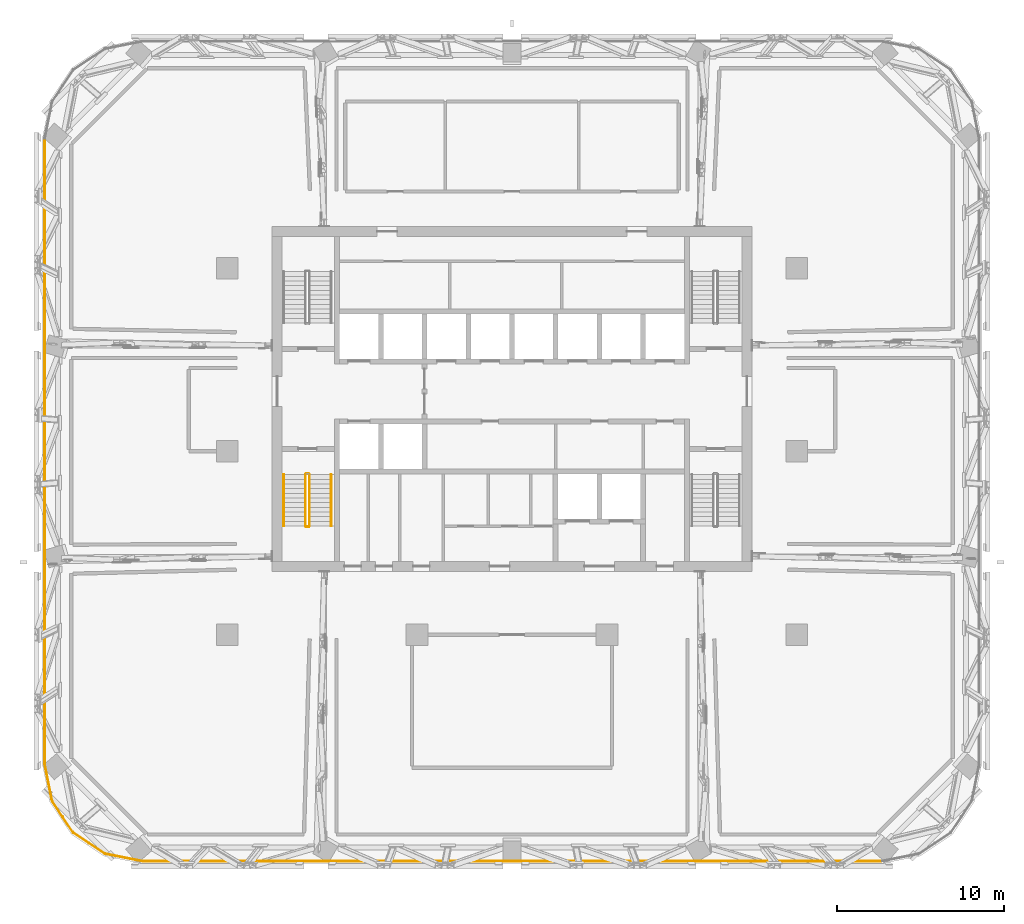
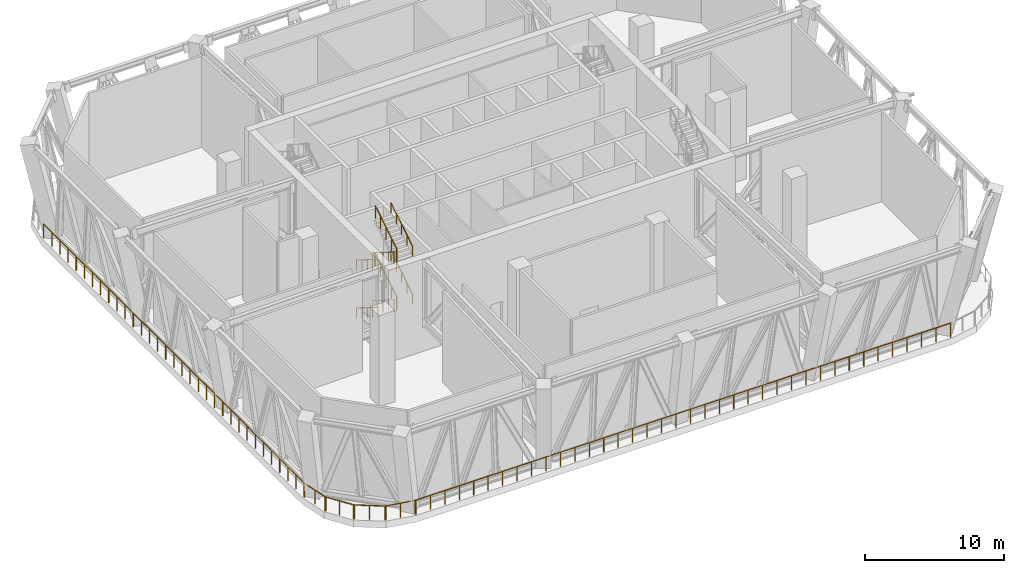
# One storey, part 18 of 24: 14 railings.
"""IFC4 building model written with IfcOpenShell, lengths in metres."""

from ifc_helpers import new_model, si_unit, direction, frame, origin, origin_2d, place, context, subcontext, project, spatial, circle, extrude, material, type_object, element, save


model = new_model("IFC4")

# Units and contexts
model_context = context("Model", 3, precision=1e-05, world=origin(), true_north=direction((0.0, 1.0)))
body_context = subcontext(model_context, "Body", "Model", "MODEL_VIEW")
ifc_project = project(units=[si_unit("LENGTHUNIT", "METRE"), si_unit("AREAUNIT", "SQUARE_METRE"), si_unit("VOLUMEUNIT", "CUBIC_METRE"), si_unit("PLANEANGLEUNIT", "RADIAN"), si_unit("MASSUNIT", "GRAM", prefix="KILO")], contexts=[model_context])

# Site, building, storey
site_placement = place(None, origin())
site = spatial("IfcSite", under=ifc_project, at=site_placement, CompositionType="ELEMENT")
building_placement = place(site_placement, origin())
building = spatial("IfcBuilding", under=site, at=building_placement, Name="Mopane Tessera Tower", CompositionType="ELEMENT")
storey_placement = place(building_placement, frame((0.0, 0.0, 259.0)))
storey = spatial("IfcBuildingStorey", under=building, at=storey_placement, Name="L56", CompositionType="ELEMENT", Elevation=259.0)

# Railings
ifc_material_1 = material(Name="Powder-coated steel balustrade", Category="steel")
railing_type_1 = type_object("IfcRailingType", Name="Escape stair guard 1100 mm", PredefinedType="GUARDRAIL", material=ifc_material_1)
railing_1_placement = place(storey_placement, frame((-12.39990234375, -1.39990234375, 0.175048828125)))
element("IfcRailing", 1, at=railing_1_placement, inside=storey, type_object=railing_type_1, Name="L56 ST1 stair guard 1", PredefinedType="GUARDRAIL", context=body_context, shape_type="SweptSolid", body=[
    extrude(circle(Radius=0.02392578125, at=origin_2d()), frame((0.0, 0.0, 1.076171875), z_axis=(0.0, -0.847998304005, 0.529998940003), x_axis=(1.0, 0.0, 0.0)), (0.0, 0.0, 1.0), 3.632080078125),
    extrude(circle(Radius=0.02392578125, at=origin_2d()), frame((0.0, -3.080078125, 3.0009765625), z_axis=(0.705375805398, -0.708833529934, 0.0), x_axis=(0.708833529934, 0.705375805398, 0.0)), (0.0, 0.0, 1.0), 0.070556640625),
    extrude(circle(Radius=0.02392578125, at=origin_2d()), frame((0.0498046875, -3.130126953125, 3.0009765625), z_axis=(1.0, 0.0, 0.0), x_axis=(0.0, 1.0, 0.0)), (0.0, 0.0, 1.0), 0.150146484375),
    extrude(circle(Radius=0.02099609375, at=origin_2d()), origin(), (0.0, 0.0, 1.0), 1.052001953125),
    extrude(circle(Radius=0.02099609375, at=origin_2d()), frame((0.0, -0.77001953125, 0.481201171875)), (0.0, 0.0, 1.0), 1.052001953125),
    extrude(circle(Radius=0.02099609375, at=origin_2d()), frame((0.0, -1.5400390625, 0.96240234375)), (0.0, 0.0, 1.0), 1.052001953125),
    extrude(circle(Radius=0.02099609375, at=origin_2d()), frame((0.0, -2.31005859375, 1.44384765625)), (0.0, 0.0, 1.0), 1.052001953125),
    extrude(circle(Radius=0.02099609375, at=origin_2d()), frame((0.0, -3.080078125, 1.925048828125)), (0.0, 0.0, 1.0), 1.052001953125),
    extrude(circle(Radius=0.02099609375, at=origin_2d()), frame((0.0498046875, -3.130126953125, 1.925048828125)), (0.0, 0.0, 1.0), 1.052001953125),
    extrude(circle(Radius=0.02099609375, at=origin_2d()), frame((0.199951171875, -3.130126953125, 1.925048828125)), (0.0, 0.0, 1.0), 1.052001953125),
])
railing_2_placement = place(storey_placement, frame((-12.14990234375, -4.47998046875, 2.27490234375)))
element("IfcRailing", 2, at=railing_2_placement, inside=storey, type_object=railing_type_1, Name="L56 ST1 stair guard 2", PredefinedType="GUARDRAIL", context=body_context, shape_type="SweptSolid", body=[
    extrude(circle(Radius=0.02392578125, at=origin_2d()), frame((0.0, 0.0, 1.076171875), z_axis=(0.0, 0.847998304005, 0.529998940003), x_axis=(-1.0, 0.0, 0.0)), (0.0, 0.0, 1.0), 3.632080078125),
    extrude(circle(Radius=0.02392578125, at=origin_2d()), frame((0.0, 3.080078125, 3.0009765625), z_axis=(-0.708833529934, 0.705375805398, 0.0), x_axis=(-0.705375805398, -0.708833529934, 0.0)), (0.0, 0.0, 1.0), 0.070556640625),
    extrude(circle(Radius=0.02392578125, at=origin_2d()), frame((-0.050048828125, 3.1298828125, 3.0009765625), z_axis=(-1.0, 0.0, 0.0), x_axis=(0.0, -1.0, 0.0)), (0.0, 0.0, 1.0), 0.150146484375),
    extrude(circle(Radius=0.02099609375, at=origin_2d()), origin(), (0.0, 0.0, 1.0), 1.052001953125),
    extrude(circle(Radius=0.02099609375, at=origin_2d()), frame((0.0, 0.77001953125, 0.481201171875)), (0.0, 0.0, 1.0), 1.052001953125),
    extrude(circle(Radius=0.02099609375, at=origin_2d()), frame((0.0, 1.5400390625, 0.96240234375)), (0.0, 0.0, 1.0), 1.052001953125),
    extrude(circle(Radius=0.02099609375, at=origin_2d()), frame((0.0, 2.31005859375, 1.44384765625)), (0.0, 0.0, 1.0), 1.052001953125),
    extrude(circle(Radius=0.02099609375, at=origin_2d()), frame((0.0, 3.080078125, 1.925048828125)), (0.0, 0.0, 1.0), 1.052001953125),
    extrude(circle(Radius=0.02099609375, at=origin_2d()), frame((-0.050048828125, 3.1298828125, 1.925048828125)), (0.0, 0.0, 1.0), 1.052001953125),
    extrude(circle(Radius=0.02099609375, at=origin_2d()), frame((-0.2001953125, 3.1298828125, 1.925048828125)), (0.0, 0.0, 1.0), 1.052001953125),
])
railing_3_placement = place(storey_placement, frame((-12.39990234375, -1.39990234375, 4.375)))
element("IfcRailing", 3, at=railing_3_placement, inside=storey, type_object=railing_type_1, Name="L56 ST1 stair guard 3", PredefinedType="GUARDRAIL", context=body_context, shape_type="SweptSolid", body=[
    extrude(circle(Radius=0.02392578125, at=origin_2d()), frame((0.0, 0.0, 1.076171875), z_axis=(0.0, -0.847998304005, 0.529998940003), x_axis=(1.0, 0.0, 0.0)), (0.0, 0.0, 1.0), 3.632080078125),
    extrude(circle(Radius=0.02392578125, at=origin_2d()), frame((0.0, -3.080078125, 3.0009765625), z_axis=(0.705375805398, -0.708833529934, 0.0), x_axis=(0.708833529934, 0.705375805398, 0.0)), (0.0, 0.0, 1.0), 0.070556640625),
    extrude(circle(Radius=0.02392578125, at=origin_2d()), frame((0.0498046875, -3.130126953125, 3.0009765625), z_axis=(1.0, 0.0, 0.0), x_axis=(0.0, 1.0, 0.0)), (0.0, 0.0, 1.0), 0.150146484375),
    extrude(circle(Radius=0.02099609375, at=origin_2d()), origin(), (0.0, 0.0, 1.0), 1.052001953125),
    extrude(circle(Radius=0.02099609375, at=origin_2d()), frame((0.0, -0.77001953125, 0.481201171875)), (0.0, 0.0, 1.0), 1.052001953125),
    extrude(circle(Radius=0.02099609375, at=origin_2d()), frame((0.0, -1.5400390625, 0.96240234375)), (0.0, 0.0, 1.0), 1.052001953125),
    extrude(circle(Radius=0.02099609375, at=origin_2d()), frame((0.0, -2.31005859375, 1.44384765625)), (0.0, 0.0, 1.0), 1.052001953125),
    extrude(circle(Radius=0.02099609375, at=origin_2d()), frame((0.0, -3.080078125, 1.925048828125)), (0.0, 0.0, 1.0), 1.052001953125),
    extrude(circle(Radius=0.02099609375, at=origin_2d()), frame((0.0498046875, -3.130126953125, 1.925048828125)), (0.0, 0.0, 1.0), 1.052001953125),
    extrude(circle(Radius=0.02099609375, at=origin_2d()), frame((0.199951171875, -3.130126953125, 1.925048828125)), (0.0, 0.0, 1.0), 1.052001953125),
])
railing_4_placement = place(storey_placement, frame((-12.14990234375, -4.47998046875, 6.47509765625)))
element("IfcRailing", 4, at=railing_4_placement, inside=storey, type_object=railing_type_1, Name="L56 ST1 stair guard 4", PredefinedType="GUARDRAIL", context=body_context, shape_type="SweptSolid", body=[
    extrude(circle(Radius=0.02392578125, at=origin_2d()), frame((0.0, 0.0, 1.076171875), z_axis=(0.0, 0.848028513186, 0.529950602248), x_axis=(-1.0, 0.0, 0.0)), (0.0, 0.0, 1.0), 3.632080078125),
    extrude(circle(Radius=0.02099609375, at=origin_2d()), origin(), (0.0, 0.0, 1.0), 1.052001953125),
    extrude(circle(Radius=0.02099609375, at=origin_2d()), frame((0.0, 0.77001953125, 0.481201171875)), (0.0, 0.0, 1.0), 1.052001953125),
    extrude(circle(Radius=0.02099609375, at=origin_2d()), frame((0.0, 1.5400390625, 0.96240234375)), (0.0, 0.0, 1.0), 1.052001953125),
    extrude(circle(Radius=0.02099609375, at=origin_2d()), frame((0.0, 2.31005859375, 1.443603515625)), (0.0, 0.0, 1.0), 1.052001953125),
    extrude(circle(Radius=0.02099609375, at=origin_2d()), frame((0.0, 3.080078125, 1.9248046875)), (0.0, 0.0, 1.0), 1.052001953125),
])
ifc_material_2 = material(Name="Powder-coated steel balustrade", Category="steel")
railing_type_2 = type_object("IfcRailingType", Name="Escape stair handrail 900 mm", PredefinedType="HANDRAIL", material=ifc_material_2)
railing_5_placement = place(storey_placement, frame((-13.699951171875, -1.39990234375, 0.175048828125)))
element("IfcRailing", 5, at=railing_5_placement, inside=storey, type_object=railing_type_2, Name="L56 ST1 stair handrail 1", PredefinedType="HANDRAIL", context=body_context, shape_type="SweptSolid", body=[
    extrude(circle(Radius=0.02392578125, at=origin_2d()), frame((0.0, 0.0, 0.8759765625), z_axis=(0.0, -0.847998304005, 0.529998940003), x_axis=(1.0, 0.0, 0.0)), (0.0, 0.0, 1.0), 3.632080078125),
    extrude(circle(Radius=0.02099609375, at=origin_2d()), origin(), (0.0, 0.0, 1.0), 0.851806640625),
    extrude(circle(Radius=0.02099609375, at=origin_2d()), frame((0.0, -0.77001953125, 0.481201171875)), (0.0, 0.0, 1.0), 0.851806640625),
    extrude(circle(Radius=0.02099609375, at=origin_2d()), frame((0.0, -1.5400390625, 0.96240234375)), (0.0, 0.0, 1.0), 0.851806640625),
    extrude(circle(Radius=0.02099609375, at=origin_2d()), frame((0.0, -2.31005859375, 1.44384765625)), (0.0, 0.0, 1.0), 0.851806640625),
    extrude(circle(Radius=0.02099609375, at=origin_2d()), frame((0.0, -3.080078125, 1.925048828125)), (0.0, 0.0, 1.0), 0.851806640625),
])
railing_6_placement = place(storey_placement, frame((-10.85009765625, -4.47998046875, 2.27490234375)))
element("IfcRailing", 6, at=railing_6_placement, inside=storey, type_object=railing_type_2, Name="L56 ST1 stair handrail 2", PredefinedType="HANDRAIL", context=body_context, shape_type="SweptSolid", body=[
    extrude(circle(Radius=0.02392578125, at=origin_2d()), frame((0.0, 0.0, 0.8759765625), z_axis=(0.0, 0.847998304005, 0.529998940003), x_axis=(-1.0, 0.0, 0.0)), (0.0, 0.0, 1.0), 3.632080078125),
    extrude(circle(Radius=0.02099609375, at=origin_2d()), origin(), (0.0, 0.0, 1.0), 0.851806640625),
    extrude(circle(Radius=0.02099609375, at=origin_2d()), frame((0.0, 0.77001953125, 0.481201171875)), (0.0, 0.0, 1.0), 0.851806640625),
    extrude(circle(Radius=0.02099609375, at=origin_2d()), frame((0.0, 1.5400390625, 0.96240234375)), (0.0, 0.0, 1.0), 0.851806640625),
    extrude(circle(Radius=0.02099609375, at=origin_2d()), frame((0.0, 2.31005859375, 1.44384765625)), (0.0, 0.0, 1.0), 0.851806640625),
    extrude(circle(Radius=0.02099609375, at=origin_2d()), frame((0.0, 3.080078125, 1.925048828125)), (0.0, 0.0, 1.0), 0.851806640625),
])
railing_7_placement = place(storey_placement, frame((-13.699951171875, -1.39990234375, 4.375)))
element("IfcRailing", 7, at=railing_7_placement, inside=storey, type_object=railing_type_2, Name="L56 ST1 stair handrail 3", PredefinedType="HANDRAIL", context=body_context, shape_type="SweptSolid", body=[
    extrude(circle(Radius=0.02392578125, at=origin_2d()), frame((0.0, 0.0, 0.8759765625), z_axis=(0.0, -0.847998304005, 0.529998940003), x_axis=(1.0, 0.0, 0.0)), (0.0, 0.0, 1.0), 3.632080078125),
    extrude(circle(Radius=0.02099609375, at=origin_2d()), origin(), (0.0, 0.0, 1.0), 0.851806640625),
    extrude(circle(Radius=0.02099609375, at=origin_2d()), frame((0.0, -0.77001953125, 0.481201171875)), (0.0, 0.0, 1.0), 0.851806640625),
    extrude(circle(Radius=0.02099609375, at=origin_2d()), frame((0.0, -1.5400390625, 0.96240234375)), (0.0, 0.0, 1.0), 0.851806640625),
    extrude(circle(Radius=0.02099609375, at=origin_2d()), frame((0.0, -2.31005859375, 1.44384765625)), (0.0, 0.0, 1.0), 0.851806640625),
    extrude(circle(Radius=0.02099609375, at=origin_2d()), frame((0.0, -3.080078125, 1.925048828125)), (0.0, 0.0, 1.0), 0.851806640625),
])
railing_8_placement = place(storey_placement, frame((-10.85009765625, -4.47998046875, 6.47509765625)))
element("IfcRailing", 8, at=railing_8_placement, inside=storey, type_object=railing_type_2, Name="L56 ST1 stair handrail 4", PredefinedType="HANDRAIL", context=body_context, shape_type="SweptSolid", body=[
    extrude(circle(Radius=0.02392578125, at=origin_2d()), frame((0.0, 0.0, 0.8759765625), z_axis=(0.0, 0.848028513186, 0.529950602248), x_axis=(-1.0, 0.0, 0.0)), (0.0, 0.0, 1.0), 3.632080078125),
    extrude(circle(Radius=0.02099609375, at=origin_2d()), origin(), (0.0, 0.0, 1.0), 0.851806640625),
    extrude(circle(Radius=0.02099609375, at=origin_2d()), frame((0.0, 0.77001953125, 0.481201171875)), (0.0, 0.0, 1.0), 0.851806640625),
    extrude(circle(Radius=0.02099609375, at=origin_2d()), frame((0.0, 1.5400390625, 0.96240234375)), (0.0, 0.0, 1.0), 0.851806640625),
    extrude(circle(Radius=0.02099609375, at=origin_2d()), frame((0.0, 2.31005859375, 1.443603515625)), (0.0, 0.0, 1.0), 0.851806640625),
    extrude(circle(Radius=0.02099609375, at=origin_2d()), frame((0.0, 3.080078125, 1.9248046875)), (0.0, 0.0, 1.0), 0.851806640625),
])
ifc_material_3 = material(Name="Stainless steel S316", Category="steel")
railing_type_3 = type_object("IfcRailingType", Name="Wind floor guard 1250", PredefinedType="GUARDRAIL", material=ifc_material_3)
railing_9_placement = place(storey_placement, frame((-22.169921875, -24.60009765625, 0.0)))
element("IfcRailing", 9, at=railing_9_placement, inside=storey, type_object=railing_type_3, Name="e:og:L56:0", PredefinedType="GUARDRAIL", context=body_context, shape_type="SweptSolid", body=[
    extrude(circle(Radius=0.02392578125, at=origin_2d()), frame((0.0, 0.0, 1.22607421875), z_axis=(1.0, 0.0, 0.0), x_axis=(0.0, 1.0, 0.0)), (0.0, 0.0, 1.0), 44.33984375),
    extrude(circle(Radius=0.02099609375, at=origin_2d()), origin(), (0.0, 0.0, 1.0), 1.201904296875),
    extrude(circle(Radius=0.02099609375, at=origin_2d()), frame((1.198486328125, 0.0, 0.0)), (0.0, 0.0, 1.0), 1.201904296875),
    extrude(circle(Radius=0.02099609375, at=origin_2d()), frame((2.396728515625, 0.0, 0.0)), (0.0, 0.0, 1.0), 1.201904296875),
    extrude(circle(Radius=0.02099609375, at=origin_2d()), frame((3.59521484375, 0.0, 0.0)), (0.0, 0.0, 1.0), 1.201904296875),
    extrude(circle(Radius=0.02099609375, at=origin_2d()), frame((4.79345703125, 0.0, 0.0)), (0.0, 0.0, 1.0), 1.201904296875),
    extrude(circle(Radius=0.02099609375, at=origin_2d()), frame((5.991943359375, 0.0, 0.0)), (0.0, 0.0, 1.0), 1.201904296875),
    extrude(circle(Radius=0.02099609375, at=origin_2d()), frame((7.190185546875, 0.0, 0.0)), (0.0, 0.0, 1.0), 1.201904296875),
    extrude(circle(Radius=0.02099609375, at=origin_2d()), frame((8.388671875, 0.0, 0.0)), (0.0, 0.0, 1.0), 1.201904296875),
    extrude(circle(Radius=0.02099609375, at=origin_2d()), frame((9.5869140625, 0.0, 0.0)), (0.0, 0.0, 1.0), 1.201904296875),
    extrude(circle(Radius=0.02099609375, at=origin_2d()), frame((10.785400390625, 0.0, 0.0)), (0.0, 0.0, 1.0), 1.201904296875),
    extrude(circle(Radius=0.02099609375, at=origin_2d()), frame((11.983642578125, 0.0, 0.0)), (0.0, 0.0, 1.0), 1.201904296875),
    extrude(circle(Radius=0.02099609375, at=origin_2d()), frame((13.18212890625, 0.0, 0.0)), (0.0, 0.0, 1.0), 1.201904296875),
    extrude(circle(Radius=0.02099609375, at=origin_2d()), frame((14.38037109375, 0.0, 0.0)), (0.0, 0.0, 1.0), 1.201904296875),
    extrude(circle(Radius=0.02099609375, at=origin_2d()), frame((15.578857421875, 0.0, 0.0)), (0.0, 0.0, 1.0), 1.201904296875),
    extrude(circle(Radius=0.02099609375, at=origin_2d()), frame((16.77734375, 0.0, 0.0)), (0.0, 0.0, 1.0), 1.201904296875),
    extrude(circle(Radius=0.02099609375, at=origin_2d()), frame((17.9755859375, 0.0, 0.0)), (0.0, 0.0, 1.0), 1.201904296875),
    extrude(circle(Radius=0.02099609375, at=origin_2d()), frame((19.174072265625, 0.0, 0.0)), (0.0, 0.0, 1.0), 1.201904296875),
    extrude(circle(Radius=0.02099609375, at=origin_2d()), frame((20.372314453125, 0.0, 0.0)), (0.0, 0.0, 1.0), 1.201904296875),
    extrude(circle(Radius=0.02099609375, at=origin_2d()), frame((21.57080078125, 0.0, 0.0)), (0.0, 0.0, 1.0), 1.201904296875),
    extrude(circle(Radius=0.02099609375, at=origin_2d()), frame((22.76904296875, 0.0, 0.0)), (0.0, 0.0, 1.0), 1.201904296875),
    extrude(circle(Radius=0.02099609375, at=origin_2d()), frame((23.967529296875, 0.0, 0.0)), (0.0, 0.0, 1.0), 1.201904296875),
    extrude(circle(Radius=0.02099609375, at=origin_2d()), frame((25.165771484375, 0.0, 0.0)), (0.0, 0.0, 1.0), 1.201904296875),
    extrude(circle(Radius=0.02099609375, at=origin_2d()), frame((26.3642578125, 0.0, 0.0)), (0.0, 0.0, 1.0), 1.201904296875),
    extrude(circle(Radius=0.02099609375, at=origin_2d()), frame((27.5625, 0.0, 0.0)), (0.0, 0.0, 1.0), 1.201904296875),
    extrude(circle(Radius=0.02099609375, at=origin_2d()), frame((28.760986328125, 0.0, 0.0)), (0.0, 0.0, 1.0), 1.201904296875),
    extrude(circle(Radius=0.02099609375, at=origin_2d()), frame((29.95947265625, 0.0, 0.0)), (0.0, 0.0, 1.0), 1.201904296875),
    extrude(circle(Radius=0.02099609375, at=origin_2d()), frame((31.15771484375, 0.0, 0.0)), (0.0, 0.0, 1.0), 1.201904296875),
    extrude(circle(Radius=0.02099609375, at=origin_2d()), frame((32.356201171875, 0.0, 0.0)), (0.0, 0.0, 1.0), 1.201904296875),
    extrude(circle(Radius=0.02099609375, at=origin_2d()), frame((33.554443359375, 0.0, 0.0)), (0.0, 0.0, 1.0), 1.201904296875),
    extrude(circle(Radius=0.02099609375, at=origin_2d()), frame((34.7529296875, 0.0, 0.0)), (0.0, 0.0, 1.0), 1.201904296875),
    extrude(circle(Radius=0.02099609375, at=origin_2d()), frame((35.951171875, 0.0, 0.0)), (0.0, 0.0, 1.0), 1.201904296875),
    extrude(circle(Radius=0.02099609375, at=origin_2d()), frame((37.149658203125, 0.0, 0.0)), (0.0, 0.0, 1.0), 1.201904296875),
    extrude(circle(Radius=0.02099609375, at=origin_2d()), frame((38.347900390625, 0.0, 0.0)), (0.0, 0.0, 1.0), 1.201904296875),
    extrude(circle(Radius=0.02099609375, at=origin_2d()), frame((39.54638671875, 0.0, 0.0)), (0.0, 0.0, 1.0), 1.201904296875),
    extrude(circle(Radius=0.02099609375, at=origin_2d()), frame((40.74462890625, 0.0, 0.0)), (0.0, 0.0, 1.0), 1.201904296875),
    extrude(circle(Radius=0.02099609375, at=origin_2d()), frame((41.943115234375, 0.0, 0.0)), (0.0, 0.0, 1.0), 1.201904296875),
    extrude(circle(Radius=0.02099609375, at=origin_2d()), frame((43.141357421875, 0.0, 0.0)), (0.0, 0.0, 1.0), 1.201904296875),
    extrude(circle(Radius=0.02099609375, at=origin_2d()), frame((44.33984375, 0.0, 0.0)), (0.0, 0.0, 1.0), 1.201904296875),
])
railing_10_placement = place(storey_placement, frame((-28.050048828125, 18.719970703125, 0.0)))
element("IfcRailing", 10, at=railing_10_placement, inside=storey, type_object=railing_type_3, Name="e:og:L56:15", PredefinedType="GUARDRAIL", context=body_context, shape_type="SweptSolid", body=[
    extrude(circle(Radius=0.02392578125, at=origin_2d()), frame((0.0, 0.0, 1.22607421875), z_axis=(0.0, -1.0, 0.0), x_axis=(1.0, 0.0, 0.0)), (0.0, 0.0, 1.0), 37.43994140625),
    extrude(circle(Radius=0.02099609375, at=origin_2d()), origin(), (0.0, 0.0, 1.0), 1.201904296875),
    extrude(circle(Radius=0.02099609375, at=origin_2d()), frame((0.0, -1.169921875, 0.0)), (0.0, 0.0, 1.0), 1.201904296875),
    extrude(circle(Radius=0.02099609375, at=origin_2d()), frame((0.0, -2.340087890625, 0.0)), (0.0, 0.0, 1.0), 1.201904296875),
    extrude(circle(Radius=0.02099609375, at=origin_2d()), frame((0.0, -3.510009765625, 0.0)), (0.0, 0.0, 1.0), 1.201904296875),
    extrude(circle(Radius=0.02099609375, at=origin_2d()), frame((0.0, -4.679931640625, 0.0)), (0.0, 0.0, 1.0), 1.201904296875),
    extrude(circle(Radius=0.02099609375, at=origin_2d()), frame((0.0, -5.85009765625, 0.0)), (0.0, 0.0, 1.0), 1.201904296875),
    extrude(circle(Radius=0.02099609375, at=origin_2d()), frame((0.0, -7.02001953125, 0.0)), (0.0, 0.0, 1.0), 1.201904296875),
    extrude(circle(Radius=0.02099609375, at=origin_2d()), frame((0.0, -8.18994140625, 0.0)), (0.0, 0.0, 1.0), 1.201904296875),
    extrude(circle(Radius=0.02099609375, at=origin_2d()), frame((0.0, -9.35986328125, 0.0)), (0.0, 0.0, 1.0), 1.201904296875),
    extrude(circle(Radius=0.02099609375, at=origin_2d()), frame((0.0, -10.530029296875, 0.0)), (0.0, 0.0, 1.0), 1.201904296875),
    extrude(circle(Radius=0.02099609375, at=origin_2d()), frame((0.0, -11.699951171875, 0.0)), (0.0, 0.0, 1.0), 1.201904296875),
    extrude(circle(Radius=0.02099609375, at=origin_2d()), frame((0.0, -12.869873046875, 0.0)), (0.0, 0.0, 1.0), 1.201904296875),
    extrude(circle(Radius=0.02099609375, at=origin_2d()), frame((0.0, -14.0400390625, 0.0)), (0.0, 0.0, 1.0), 1.201904296875),
    extrude(circle(Radius=0.02099609375, at=origin_2d()), frame((0.0, -15.2099609375, 0.0)), (0.0, 0.0, 1.0), 1.201904296875),
    extrude(circle(Radius=0.02099609375, at=origin_2d()), frame((0.0, -16.3798828125, 0.0)), (0.0, 0.0, 1.0), 1.201904296875),
    extrude(circle(Radius=0.02099609375, at=origin_2d()), frame((0.0, -17.550048828125, 0.0)), (0.0, 0.0, 1.0), 1.201904296875),
    extrude(circle(Radius=0.02099609375, at=origin_2d()), frame((0.0, -18.719970703125, 0.0)), (0.0, 0.0, 1.0), 1.201904296875),
    extrude(circle(Radius=0.02099609375, at=origin_2d()), frame((0.0, -19.889892578125, 0.0)), (0.0, 0.0, 1.0), 1.201904296875),
    extrude(circle(Radius=0.02099609375, at=origin_2d()), frame((0.0, -21.06005859375, 0.0)), (0.0, 0.0, 1.0), 1.201904296875),
    extrude(circle(Radius=0.02099609375, at=origin_2d()), frame((0.0, -22.22998046875, 0.0)), (0.0, 0.0, 1.0), 1.201904296875),
    extrude(circle(Radius=0.02099609375, at=origin_2d()), frame((0.0, -23.39990234375, 0.0)), (0.0, 0.0, 1.0), 1.201904296875),
    extrude(circle(Radius=0.02099609375, at=origin_2d()), frame((0.0, -24.570068359375, 0.0)), (0.0, 0.0, 1.0), 1.201904296875),
    extrude(circle(Radius=0.02099609375, at=origin_2d()), frame((0.0, -25.739990234375, 0.0)), (0.0, 0.0, 1.0), 1.201904296875),
    extrude(circle(Radius=0.02099609375, at=origin_2d()), frame((0.0, -26.909912109375, 0.0)), (0.0, 0.0, 1.0), 1.201904296875),
    extrude(circle(Radius=0.02099609375, at=origin_2d()), frame((0.0, -28.080078125, 0.0)), (0.0, 0.0, 1.0), 1.201904296875),
    extrude(circle(Radius=0.02099609375, at=origin_2d()), frame((0.0, -29.25, 0.0)), (0.0, 0.0, 1.0), 1.201904296875),
    extrude(circle(Radius=0.02099609375, at=origin_2d()), frame((0.0, -30.419921875, 0.0)), (0.0, 0.0, 1.0), 1.201904296875),
    extrude(circle(Radius=0.02099609375, at=origin_2d()), frame((0.0, -31.58984375, 0.0)), (0.0, 0.0, 1.0), 1.201904296875),
    extrude(circle(Radius=0.02099609375, at=origin_2d()), frame((0.0, -32.760009765625, 0.0)), (0.0, 0.0, 1.0), 1.201904296875),
    extrude(circle(Radius=0.02099609375, at=origin_2d()), frame((0.0, -33.929931640625, 0.0)), (0.0, 0.0, 1.0), 1.201904296875),
    extrude(circle(Radius=0.02099609375, at=origin_2d()), frame((0.0, -35.099853515625, 0.0)), (0.0, 0.0, 1.0), 1.201904296875),
    extrude(circle(Radius=0.02099609375, at=origin_2d()), frame((0.0, -36.27001953125, 0.0)), (0.0, 0.0, 1.0), 1.201904296875),
    extrude(circle(Radius=0.02099609375, at=origin_2d()), frame((0.0, -37.43994140625, 0.0)), (0.0, 0.0, 1.0), 1.201904296875),
])
railing_11_placement = place(storey_placement, frame((-28.044189453125, -18.779541015625, 0.0)))
element("IfcRailing", 11, at=railing_11_placement, inside=storey, type_object=railing_type_3, Name="e:og:L56:16", PredefinedType="GUARDRAIL", context=body_context, shape_type="SweptSolid", body=[
    extrude(circle(Radius=0.02392578125, at=origin_2d()), frame((0.0, 0.0, 1.22607421875), z_axis=(0.195101986683, -0.980782960085, 0.0), x_axis=(0.980782960085, 0.195101986683, 0.0)), (0.0, 0.0, 1.0), 2.222412109375),
    extrude(circle(Radius=0.02099609375, at=origin_2d()), origin(), (0.0, 0.0, 1.0), 1.201904296875),
    extrude(circle(Radius=0.02099609375, at=origin_2d()), frame((0.216796875, -1.08984375, 0.0)), (0.0, 0.0, 1.0), 1.201904296875),
    extrude(circle(Radius=0.02099609375, at=origin_2d()), frame((0.43359375, -2.1796875, 0.0)), (0.0, 0.0, 1.0), 1.201904296875),
])
railing_12_placement = place(storey_placement, frame((-27.588134765625, -21.013671875, 0.0)))
element("IfcRailing", 12, at=railing_12_placement, inside=storey, type_object=railing_type_3, Name="e:og:L56:17", PredefinedType="GUARDRAIL", context=body_context, shape_type="SweptSolid", body=[
    extrude(circle(Radius=0.02392578125, at=origin_2d()), frame((0.0, 0.0, 1.22607421875), z_axis=(0.555612448047, -0.831441403573, 0.0), x_axis=(0.831441403573, 0.555612448047, 0.0)), (0.0, 0.0, 1.0), 2.222412109375),
    extrude(circle(Radius=0.02099609375, at=origin_2d()), origin(), (0.0, 0.0, 1.0), 1.201904296875),
    extrude(circle(Radius=0.02099609375, at=origin_2d()), frame((0.617431640625, -0.923828125, 0.0)), (0.0, 0.0, 1.0), 1.201904296875),
    extrude(circle(Radius=0.02099609375, at=origin_2d()), frame((1.23486328125, -1.847900390625, 0.0)), (0.0, 0.0, 1.0), 1.201904296875),
])
railing_13_placement = place(storey_placement, frame((-26.3115234375, -22.9033203125, 0.0)))
element("IfcRailing", 13, at=railing_13_placement, inside=storey, type_object=railing_type_3, Name="e:og:L56:18", PredefinedType="GUARDRAIL", context=body_context, shape_type="SweptSolid", body=[
    extrude(circle(Radius=0.02392578125, at=origin_2d()), frame((0.0, 0.0, 1.22607421875), z_axis=(0.831492148611, -0.55553650357, 0.0), x_axis=(0.55553650357, 0.831492148611, 0.0)), (0.0, 0.0, 1.0), 2.222412109375),
    extrude(circle(Radius=0.02099609375, at=origin_2d()), origin(), (0.0, 0.0, 1.0), 1.201904296875),
    extrude(circle(Radius=0.02099609375, at=origin_2d()), frame((0.923828125, -0.6171875, 0.0)), (0.0, 0.0, 1.0), 1.201904296875),
    extrude(circle(Radius=0.02099609375, at=origin_2d()), frame((1.847900390625, -1.234619140625, 0.0)), (0.0, 0.0, 1.0), 1.201904296875),
])
railing_14_placement = place(storey_placement, frame((-24.4091796875, -24.16064453125, 0.0)))
element("IfcRailing", 14, at=railing_14_placement, inside=storey, type_object=railing_type_3, Name="e:og:L56:19", PredefinedType="GUARDRAIL", context=body_context, shape_type="SweptSolid", body=[
    extrude(circle(Radius=0.02392578125, at=origin_2d()), frame((0.0, 0.0, 1.22607421875), z_axis=(0.980782960085, -0.195101986683, 0.0), x_axis=(0.195101986683, 0.980782960085, 0.0)), (0.0, 0.0, 1.0), 2.222412109375),
    extrude(circle(Radius=0.02099609375, at=origin_2d()), origin(), (0.0, 0.0, 1.0), 1.201904296875),
    extrude(circle(Radius=0.02099609375, at=origin_2d()), frame((1.08984375, -0.216796875, 0.0)), (0.0, 0.0, 1.0), 1.201904296875),
    extrude(circle(Radius=0.02099609375, at=origin_2d()), frame((2.1796875, -0.43359375, 0.0)), (0.0, 0.0, 1.0), 1.201904296875),
])

save(model, "model.ifc")
